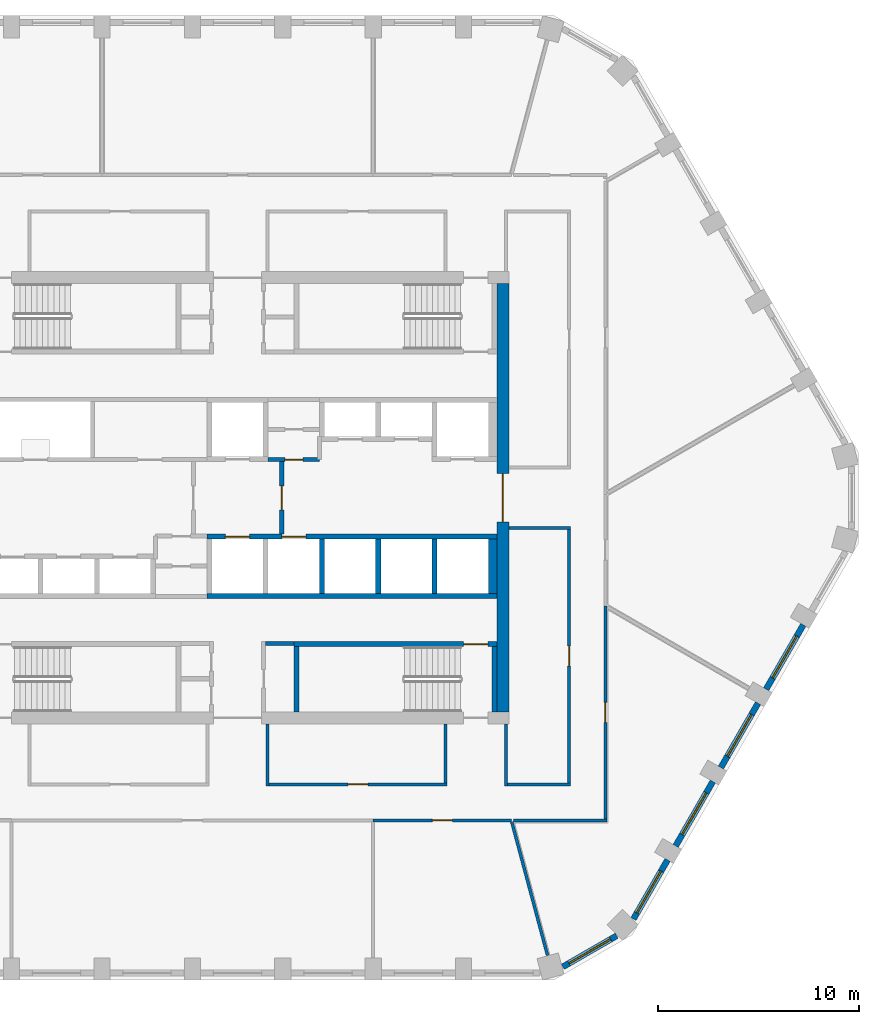
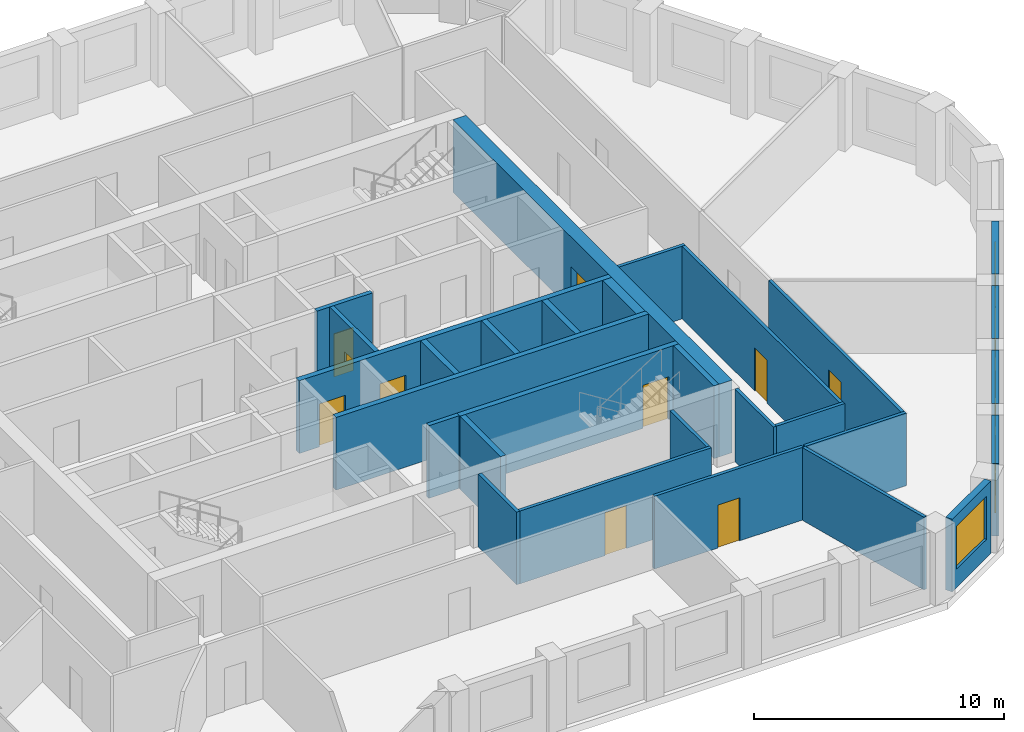
# One storey, part 4 of 13: 29 walls, 10 doors, 5 windows, 15 openings.
"""IFC4 building model written with IfcOpenShell, lengths in metres."""

from ifc_helpers import new_model, si_unit, direction, frame, frame_2d, origin, place, context, subcontext, project, spatial, polyline, rectangle, outline, extrude, material, layer, layer_set, type_object, element, fill, save


model = new_model("IFC4")

# Units and contexts
model_context = context("Model", 3, precision=1e-05, world=origin(), true_north=direction((0.0, 1.0)))
body_context = subcontext(model_context, "Body", "Model", "MODEL_VIEW")
ifc_project = project(units=[si_unit("LENGTHUNIT", "METRE"), si_unit("AREAUNIT", "SQUARE_METRE"), si_unit("VOLUMEUNIT", "CUBIC_METRE"), si_unit("PLANEANGLEUNIT", "RADIAN"), si_unit("MASSUNIT", "GRAM", prefix="KILO")], contexts=[model_context])

# Site, building, storey
site_placement = place(None, origin())
site = spatial("IfcSite", under=ifc_project, at=site_placement, CompositionType="ELEMENT")
building_placement = place(site_placement, origin())
building = spatial("IfcBuilding", under=site, at=building_placement, Name="Dhurran Vertical Campus", CompositionType="ELEMENT")
storey_placement = place(building_placement, frame((0.0, 0.0, 191.699951171875)))
storey = spatial("IfcBuildingStorey", under=building, at=storey_placement, Name="L47", CompositionType="ELEMENT", Elevation=191.699951171875)

# Wall, opening, window
ifc_material_1 = material(Name="Precast concrete C50/60", Category="concrete")
ifc_layer_1 = layer(ifc_material_1, 0.300048828125)
ifc_layer_set_1 = layer_set([ifc_layer_1], Name="Precast concrete C50/60")
wall_type_1 = type_object("IfcWallType", Name="Precast spandrel wall 300", PredefinedType="SOLIDWALL", material=ifc_layer_set_1)
wall_1_placement = place(storey_placement, frame((16.184326171875, -23.330810546875, 0.0), z_axis=(0.0, 0.0, 1.0), x_axis=(0.865994975416, 0.500052699777, 0.0)))
wall_1 = element("IfcWall", 1, at=wall_1_placement, inside=storey, type_object=wall_type_1, Name="EW1 L47.07", PredefinedType="SOLIDWALL", context=body_context, shape_type="SweptSolid", body=[
    extrude(rectangle(XDim=3.093017578125, YDim=0.300048828125, at=frame_2d((1.54638671875, 0.0))), origin(), (0.0, 0.0, 1.0), 3.550048828125),
])
opening_1_placement = place(wall_1_placement, frame((0.346435546875, 0.0, 0.89990234375)))
opening_1 = element("IfcOpeningElement", 2, at=opening_1_placement, cuts=wall_1, Name="Opening WT1", PredefinedType="OPENING", context=body_context, shape_type="SweptSolid", body=[
    extrude(rectangle(XDim=2.39990234375, YDim=2.10009765625, at=frame_2d((1.199951171875, 1.050048828125))), frame((0.0, 0.159912109375, 0.0), z_axis=(0.0, -1.0, 0.0), x_axis=(1.0, 0.0, 0.0)), (0.0, 0.0, 1.0), 0.320068359375),
])
ifc_material_2 = material(Name="Aluminium frame with solar-control glass", Category="aluminium")
window_type = type_object("IfcWindowType", Name="Punched window 2400 x 2100", PartitioningType="SINGLE_PANEL", PredefinedType="WINDOW", material=ifc_material_2)
window_1_placement = place(opening_1_placement, origin())
window_1 = element("IfcWindow", 3, at=window_1_placement, inside=storey, type_object=window_type, Name="WT1 L47.07", OverallHeight=2.10009765625, OverallWidth=2.39990234375, PartitioningType="SINGLE_PANEL", PredefinedType="WINDOW", context=body_context, shape_type="SweptSolid", body=[
    extrude(rectangle(XDim=2.39990234375, YDim=2.10009765625, at=frame_2d((1.199951171875, 1.050048828125))), frame((0.0, 0.030029296875, 0.0), z_axis=(0.0, -1.0, 0.0), x_axis=(1.0, 0.0, 0.0)), (0.0, 0.0, 1.0), 0.06005859375),
])
fill(opening_1, window_1)

wall_2_placement = place(storey_placement, frame((19.69580078125, -20.951171875, 0.0), z_axis=(0.0, 0.0, 1.0), x_axis=(0.500012868213, 0.866017974191, 0.0)))
wall_2 = element("IfcWall", 4, at=wall_2_placement, inside=storey, type_object=wall_type_1, Name="EW1 L47.08", PredefinedType="SOLIDWALL", context=body_context, shape_type="SweptSolid", body=[
    extrude(rectangle(XDim=3.39599609375, YDim=0.300048828125, at=frame_2d((1.697998046875, 0.0))), origin(), (0.0, 0.0, 1.0), 3.550048828125),
])
opening_2_placement = place(wall_2_placement, frame((0.346435546875, 0.0, 0.89990234375)))
opening_2 = element("IfcOpeningElement", 5, at=opening_2_placement, cuts=wall_2, Name="Opening WT1", PredefinedType="OPENING", context=body_context, shape_type="SweptSolid", body=[
    extrude(rectangle(XDim=2.39990234375, YDim=2.10009765625, at=frame_2d((1.199951171875, 1.050048828125))), frame((0.0, 0.159912109375, 0.0), z_axis=(0.0, -1.0, 0.0), x_axis=(1.0, 0.0, 0.0)), (0.0, 0.0, 1.0), 0.320068359375),
])
window_2_placement = place(opening_2_placement, origin())
window_2 = element("IfcWindow", 6, at=window_2_placement, inside=storey, type_object=window_type, Name="WT1 L47.08", OverallHeight=2.10009765625, OverallWidth=2.39990234375, PartitioningType="SINGLE_PANEL", PredefinedType="WINDOW", context=body_context, shape_type="SweptSolid", body=[
    extrude(rectangle(XDim=2.39990234375, YDim=2.10009765625, at=frame_2d((1.199951171875, 1.050048828125))), frame((0.0, 0.030029296875, 0.0), z_axis=(0.0, -1.0, 0.0), x_axis=(1.0, 0.0, 0.0)), (0.0, 0.0, 1.0), 0.06005859375),
])
fill(opening_2, window_2)

wall_3_placement = place(storey_placement, frame((21.794189453125, -17.316650390625, 0.0), z_axis=(0.0, 0.0, 1.0), x_axis=(0.500029062817, 0.866008623709, 0.0)))
wall_3 = element("IfcWall", 7, at=wall_3_placement, inside=storey, type_object=wall_type_1, Name="EW1 L47.09", PredefinedType="SOLIDWALL", context=body_context, shape_type="SweptSolid", body=[
    extrude(rectangle(XDim=3.698974609375, YDim=0.300048828125, at=frame_2d((1.849609375, 0.0))), origin(), (0.0, 0.0, 1.0), 3.550048828125),
])
opening_3_placement = place(wall_3_placement, frame((0.6494140625, 0.0, 0.89990234375)))
opening_3 = element("IfcOpeningElement", 8, at=opening_3_placement, cuts=wall_3, Name="Opening WT1", PredefinedType="OPENING", context=body_context, shape_type="SweptSolid", body=[
    extrude(rectangle(XDim=2.39990234375, YDim=2.10009765625, at=frame_2d((1.199951171875, 1.050048828125))), frame((0.0, 0.159912109375, 0.0), z_axis=(0.0, -1.0, 0.0), x_axis=(1.0, 0.0, 0.0)), (0.0, 0.0, 1.0), 0.320068359375),
])
window_3_placement = place(opening_3_placement, origin())
window_3 = element("IfcWindow", 9, at=window_3_placement, inside=storey, type_object=window_type, Name="WT1 L47.09", OverallHeight=2.10009765625, OverallWidth=2.39990234375, PartitioningType="SINGLE_PANEL", PredefinedType="WINDOW", context=body_context, shape_type="SweptSolid", body=[
    extrude(rectangle(XDim=2.39990234375, YDim=2.10009765625, at=frame_2d((1.199951171875, 1.050048828125))), frame((0.0, 0.030029296875, 0.0), z_axis=(0.0, -1.0, 0.0), x_axis=(1.0, 0.0, 0.0)), (0.0, 0.0, 1.0), 0.06005859375),
])
fill(opening_3, window_3)

wall_4_placement = place(storey_placement, frame((24.044189453125, -13.41943359375, 0.0), z_axis=(0.0, 0.0, 1.0), x_axis=(0.500029062817, 0.866008623709, 0.0)))
wall_4 = element("IfcWall", 10, at=wall_4_placement, inside=storey, type_object=wall_type_1, Name="EW1 L47.10", PredefinedType="SOLIDWALL", context=body_context, shape_type="SweptSolid", body=[
    extrude(rectangle(XDim=3.698974609375, YDim=0.300048828125, at=frame_2d((1.849609375, 0.0))), origin(), (0.0, 0.0, 1.0), 3.550048828125),
])
opening_4_placement = place(wall_4_placement, frame((0.6494140625, 0.0, 0.89990234375)))
opening_4 = element("IfcOpeningElement", 11, at=opening_4_placement, cuts=wall_4, Name="Opening WT1", PredefinedType="OPENING", context=body_context, shape_type="SweptSolid", body=[
    extrude(rectangle(XDim=2.39990234375, YDim=2.10009765625, at=frame_2d((1.199951171875, 1.050048828125))), frame((0.0, 0.159912109375, 0.0), z_axis=(0.0, -1.0, 0.0), x_axis=(1.0, 0.0, 0.0)), (0.0, 0.0, 1.0), 0.320068359375),
])
window_4_placement = place(opening_4_placement, origin())
window_4 = element("IfcWindow", 12, at=window_4_placement, inside=storey, type_object=window_type, Name="WT1 L47.10", OverallHeight=2.10009765625, OverallWidth=2.39990234375, PartitioningType="SINGLE_PANEL", PredefinedType="WINDOW", context=body_context, shape_type="SweptSolid", body=[
    extrude(rectangle(XDim=2.39990234375, YDim=2.10009765625, at=frame_2d((1.199951171875, 1.050048828125))), frame((0.0, 0.030029296875, 0.0), z_axis=(0.0, -1.0, 0.0), x_axis=(1.0, 0.0, 0.0)), (0.0, 0.0, 1.0), 0.06005859375),
])
fill(opening_4, window_4)

wall_5_placement = place(storey_placement, frame((26.294189453125, -9.5224609375, 0.0), z_axis=(0.0, 0.0, 1.0), x_axis=(0.500029062817, 0.866008623709, 0.0)))
wall_5 = element("IfcWall", 13, at=wall_5_placement, inside=storey, type_object=wall_type_1, Name="EW1 L47.11", PredefinedType="SOLIDWALL", context=body_context, shape_type="SweptSolid", body=[
    extrude(rectangle(XDim=3.698974609375, YDim=0.300048828125, at=frame_2d((1.849609375, 0.0))), origin(), (0.0, 0.0, 1.0), 3.550048828125),
])
opening_5_placement = place(wall_5_placement, frame((0.6494140625, 0.0, 0.89990234375)))
opening_5 = element("IfcOpeningElement", 14, at=opening_5_placement, cuts=wall_5, Name="Opening WT1", PredefinedType="OPENING", context=body_context, shape_type="SweptSolid", body=[
    extrude(rectangle(XDim=2.39990234375, YDim=2.10009765625, at=frame_2d((1.199951171875, 1.050048828125))), frame((0.0, 0.159912109375, 0.0), z_axis=(0.0, -1.0, 0.0), x_axis=(1.0, 0.0, 0.0)), (0.0, 0.0, 1.0), 0.320068359375),
])
window_5_placement = place(opening_5_placement, origin())
window_5 = element("IfcWindow", 15, at=window_5_placement, inside=storey, type_object=window_type, Name="WT1 L47.11", OverallHeight=2.10009765625, OverallWidth=2.39990234375, PartitioningType="SINGLE_PANEL", PredefinedType="WINDOW", context=body_context, shape_type="SweptSolid", body=[
    extrude(rectangle(XDim=2.39990234375, YDim=2.10009765625, at=frame_2d((1.199951171875, 1.050048828125))), frame((0.0, 0.030029296875, 0.0), z_axis=(0.0, -1.0, 0.0), x_axis=(1.0, 0.0, 0.0)), (0.0, 0.0, 1.0), 0.06005859375),
])
fill(opening_5, window_5)

# Wall, opening, door
ifc_material_3 = material(Name="Concrete C50/60", Category="concrete")
ifc_layer_2 = layer(ifc_material_3, 0.60009765625)
ifc_layer_set_2 = layer_set([ifc_layer_2], Name="Concrete C50/60")
wall_type_2 = type_object("IfcWallType", Name="co-CORE-WALL-C2-600", PredefinedType="SHEAR", material=ifc_layer_set_2)
wall_6_placement = place(storey_placement, frame((13.199951171875, -10.64990234375, 0.0), z_axis=(0.0, 0.0, 1.0), x_axis=(0.0, 1.0, 0.0)))
wall_6 = element("IfcWall", 16, at=wall_6_placement, inside=storey, type_object=wall_type_2, Name="Core wall E L47", PredefinedType="SHEAR", context=body_context, shape_type="SweptSolid", body=[
    extrude(rectangle(XDim=21.2998046875, YDim=0.60009765625, at=frame_2d((10.64990234375, 0.0))), origin(), (0.0, 0.0, 1.0), 3.550048828125),
])
opening_6_placement = place(wall_6_placement, frame((9.449951171875, 0.0, 0.0)))
opening_6 = element("IfcOpeningElement", 17, at=opening_6_placement, cuts=wall_6, Name="Opening CL2", PredefinedType="OPENING", context=body_context, shape_type="SweptSolid", body=[
    extrude(rectangle(XDim=2.39990234375, YDim=2.10009765625, at=frame_2d((1.199951171875, 1.050048828125))), frame((0.0, 0.31005859375, 0.0), z_axis=(0.0, -1.0, 0.0), x_axis=(1.0, 0.0, 0.0)), (0.0, 0.0, 1.0), 0.6201171875),
])
ifc_material_4 = material(Name="Fire-rated glazed door set")
door_type_1 = type_object("IfcDoorType", Name="co-D-LOBBY 2400x2100", OperationType="DOUBLE_DOOR_DOUBLE_SWING", PredefinedType="DOOR", material=ifc_material_4)
door_1_placement = place(opening_6_placement, origin())
door_1 = element("IfcDoor", 18, at=door_1_placement, inside=storey, type_object=door_type_1, Name="Lift lobby door E L47", OperationType="DOUBLE_DOOR_DOUBLE_SWING", OverallHeight=2.10009765625, OverallWidth=2.39990234375, PredefinedType="DOOR", context=body_context, shape_type="SweptSolid", body=[
    extrude(rectangle(XDim=2.39990234375, YDim=2.10009765625, at=frame_2d((1.199951171875, 1.050048828125))), frame((0.0, 0.02490234375, 0.0), z_axis=(0.0, -1.0, 0.0), x_axis=(1.0, 0.0, 0.0)), (0.0, 0.0, 1.0), 0.050048828125),
])
fill(opening_6, door_1)

ifc_material_5 = material(Name="Fire-rated masonry blockwork", Category="masonry")
ifc_layer_3 = layer(ifc_material_5, 0.199951171875)
ifc_layer_set_3 = layer_set([ifc_layer_3], Name="Fire-rated masonry blockwork")
wall_type_3 = type_object("IfcWallType", Name="co-FIRE-PARTITION-200", PredefinedType="PARTITIONING", material=ifc_layer_set_3)
wall_7_placement = place(storey_placement, frame((2.199951171875, -1.800048828125, 0.0), z_axis=(0.0, 0.0, 1.0), x_axis=(0.0, 1.0, 0.0)))
wall_7 = element("IfcWall", 19, at=wall_7_placement, inside=storey, type_object=wall_type_3, Name="Firefighting lobby wall E L47", PredefinedType="PARTITIONING", context=body_context, shape_type="SweptSolid", body=[
    extrude(rectangle(XDim=3.60009765625, YDim=0.199951171875, at=frame_2d((1.800048828125, 0.0))), origin(), (0.0, 0.0, 1.0), 3.550048828125),
])
opening_7_placement = place(wall_7_placement, frame((1.199951171875, 0.0, 0.0)))
opening_7 = element("IfcOpeningElement", 20, at=opening_7_placement, cuts=wall_7, Name="Opening FL2", PredefinedType="OPENING", context=body_context, shape_type="SweptSolid", body=[
    extrude(rectangle(XDim=1.199951171875, YDim=2.10009765625, at=frame_2d((0.60009765625, 1.050048828125))), frame((0.0, 0.10986328125, 0.0), z_axis=(0.0, -1.0, 0.0), x_axis=(1.0, 0.0, 0.0)), (0.0, 0.0, 1.0), 0.219970703125),
])
ifc_material_6 = material(Name="Fire-rated steel door set", Category="steel")
door_type_2 = type_object("IfcDoorType", Name="co-D-FFLOBBY 1200x2100", OperationType="SINGLE_SWING_LEFT", PredefinedType="DOOR", material=ifc_material_6)
door_2_placement = place(opening_7_placement, origin())
door_2 = element("IfcDoor", 21, at=door_2_placement, inside=storey, type_object=door_type_2, Name="Firefighting lobby door E L47", OperationType="SINGLE_SWING_LEFT", OverallHeight=2.10009765625, OverallWidth=1.199951171875, PredefinedType="DOOR", context=body_context, shape_type="SweptSolid", body=[
    extrude(rectangle(XDim=1.199951171875, YDim=2.10009765625, at=frame_2d((0.60009765625, 1.050048828125))), frame((0.0, 0.02490234375, 0.0), z_axis=(0.0, -1.0, 0.0), x_axis=(1.0, 0.0, 0.0)), (0.0, 0.0, 1.0), 0.050048828125),
])
fill(opening_7, door_2)

# Wall
wall_8_placement = place(storey_placement, frame((1.39990234375, -7.25, 0.0), z_axis=(0.0, 0.0, 1.0), x_axis=(1.0, 0.0, 0.0)))
element("IfcWall", 22, at=wall_8_placement, inside=storey, type_object=wall_type_3, Name="Core partition sl-SE-S L47", PredefinedType="PARTITIONING", context=body_context, shape_type="SweptSolid", body=[
    extrude(rectangle(XDim=1.400146484375, YDim=0.199951171875, at=frame_2d((0.7001953125, 0.0))), origin(), (0.0, 0.0, 1.0), 3.550048828125),
])

# Wall, opening, door
wall_9_placement = place(storey_placement, frame((1.52490234375, 1.89990234375, 0.0), z_axis=(0.0, 0.0, 1.0), x_axis=(1.0, 0.0, 0.0)))
wall_9 = element("IfcWall", 23, at=wall_9_placement, inside=storey, type_object=wall_type_3, Name="Core partition fr-N1-f L47", PredefinedType="PARTITIONING", context=body_context, shape_type="SweptSolid", body=[
    extrude(rectangle(XDim=2.550048828125, YDim=0.199951171875, at=frame_2d((1.27490234375, 0.0))), origin(), (0.0, 0.0, 1.0), 3.550048828125),
])
opening_8_placement = place(wall_9_placement, frame((0.824951171875, 0.0, 0.0)))
opening_8 = element("IfcOpeningElement", 24, at=opening_8_placement, cuts=wall_9, Name="Opening T13-C11", PredefinedType="OPENING", context=body_context, shape_type="SweptSolid", body=[
    extrude(rectangle(XDim=0.89990234375, YDim=2.10009765625, at=frame_2d((0.449951171875, 1.050048828125))), frame((0.0, 0.10986328125, 0.0), z_axis=(0.0, -1.0, 0.0), x_axis=(1.0, 0.0, 0.0)), (0.0, 0.0, 1.0), 0.219970703125),
])
ifc_material_7 = material(Name="Fire-rated timber door set", Category="wood")
door_type_3 = type_object("IfcDoorType", Name="co-D-ROOM 900x2100", OperationType="SINGLE_SWING_LEFT", PredefinedType="DOOR", material=ifc_material_7)
door_3_placement = place(opening_8_placement, origin())
door_3 = element("IfcDoor", 25, at=door_3_placement, inside=storey, type_object=door_type_3, Name="Pantry door L47", OperationType="SINGLE_SWING_LEFT", OverallHeight=2.10009765625, OverallWidth=0.89990234375, PredefinedType="DOOR", context=body_context, shape_type="SweptSolid", body=[
    extrude(rectangle(XDim=0.89990234375, YDim=2.10009765625, at=frame_2d((0.449951171875, 1.050048828125))), frame((0.0, 0.02490234375, 0.0), z_axis=(0.0, -1.0, 0.0), x_axis=(1.0, 0.0, 0.0)), (0.0, 0.0, 1.0), 0.050048828125),
])
fill(opening_8, door_3)

# Wall, openings, doors
ifc_material_8 = material(Name="Concrete C50/60", Category="concrete")
ifc_layer_4 = layer(ifc_material_8, 0.25)
ifc_layer_set_4 = layer_set([ifc_layer_4], Name="Concrete C50/60")
wall_type_4 = type_object("IfcWallType", Name="co-SHAFT-FRONT-250", PredefinedType="SHEAR", material=ifc_layer_set_4)
wall_10_placement = place(storey_placement, frame((-1.52490234375, -1.925048828125, 0.0), z_axis=(0.0, 0.0, 1.0), x_axis=(1.0, 0.0, 0.0)))
wall_10 = element("IfcWall", 26, at=wall_10_placement, inside=storey, type_object=wall_type_4, Name="Lift landing wall S L47", PredefinedType="SHEAR", context=body_context, shape_type="SweptSolid", body=[
    extrude(rectangle(XDim=14.4248046875, YDim=0.25, at=frame_2d((7.21240234375, 0.0))), origin(), (0.0, 0.0, 1.0), 3.550048828125),
])
opening_9_placement = place(wall_10_placement, frame((0.925048828125, 0.0, 0.0)))
opening_9 = element("IfcOpeningElement", 27, at=opening_9_placement, cuts=wall_10, Name="Opening LD", PredefinedType="OPENING", context=body_context, shape_type="SweptSolid", body=[
    extrude(rectangle(XDim=1.199951171875, YDim=2.10009765625, at=frame_2d((0.60009765625, 1.050048828125))), frame((0.0, 0.135009765625, 0.0), z_axis=(0.0, -1.0, 0.0), x_axis=(1.0, 0.0, 0.0)), (0.0, 0.0, 1.0), 0.27001953125),
])
opening_10_placement = place(wall_10_placement, frame((3.72509765625, 0.0, 0.0)))
opening_10 = element("IfcOpeningElement", 28, at=opening_10_placement, cuts=wall_10, Name="Opening LD", PredefinedType="OPENING", context=body_context, shape_type="SweptSolid", body=[
    extrude(rectangle(XDim=1.199951171875, YDim=2.10009765625, at=frame_2d((0.60009765625, 1.050048828125))), frame((0.0, 0.135009765625, 0.0), z_axis=(0.0, -1.0, 0.0), x_axis=(1.0, 0.0, 0.0)), (0.0, 0.0, 1.0), 0.27001953125),
])
ifc_material_9 = material(Name="Stainless steel landing door", Category="steel")
door_type_4 = type_object("IfcDoorType", Name="co-D-LANDING 1200x2100", OperationType="DOUBLE_DOOR_SLIDING", PredefinedType="DOOR", material=ifc_material_9)
door_4_placement = place(opening_9_placement, origin())
door_4 = element("IfcDoor", 29, at=door_4_placement, inside=storey, type_object=door_type_4, Name="Landing door FF2 L47", OperationType="DOUBLE_DOOR_SLIDING", OverallHeight=2.10009765625, OverallWidth=1.199951171875, PredefinedType="DOOR", context=body_context, shape_type="SweptSolid", body=[
    extrude(rectangle(XDim=1.199951171875, YDim=2.10009765625, at=frame_2d((0.60009765625, 1.050048828125))), frame((0.0, 0.02490234375, 0.0), z_axis=(0.0, -1.0, 0.0), x_axis=(1.0, 0.0, 0.0)), (0.0, 0.0, 1.0), 0.050048828125),
])
fill(opening_9, door_4)
door_5_placement = place(opening_10_placement, origin())
door_5 = element("IfcDoor", 30, at=door_5_placement, inside=storey, type_object=door_type_4, Name="Landing door SV1 L47", OperationType="DOUBLE_DOOR_SLIDING", OverallHeight=2.10009765625, OverallWidth=1.199951171875, PredefinedType="DOOR", context=body_context, shape_type="SweptSolid", body=[
    extrude(rectangle(XDim=1.199951171875, YDim=2.10009765625, at=frame_2d((0.60009765625, 1.050048828125))), frame((0.0, 0.02490234375, 0.0), z_axis=(0.0, -1.0, 0.0), x_axis=(1.0, 0.0, 0.0)), (0.0, 0.0, 1.0), 0.050048828125),
])
fill(opening_10, door_5)

# Walls
ifc_material_10 = material(Name="Concrete C50/60", Category="concrete")
ifc_layer_5 = layer(ifc_material_10, 0.25)
ifc_layer_set_5 = layer_set([ifc_layer_5], Name="Concrete C50/60")
wall_type_5 = type_object("IfcWallType", Name="co-SHAFT-MASS-250", PredefinedType="SHEAR", material=ifc_layer_set_5)
wall_11_placement = place(storey_placement, origin())
element("IfcWall", 31, at=wall_11_placement, inside=storey, type_object=wall_type_5, Name="Lift shaft wall S L47 2", PredefinedType="SHEAR", context=body_context, shape_type="SweptSolid", body=[
    extrude(outline(polyline([(-1.52490234375, -5.0), (12.89990234375, -5.0), (12.89990234375, -4.75), (-1.52490234375, -4.75), (-1.52490234375, -5.0)])), origin(), (0.0, 0.0, 1.0), 3.550048828125),
])
wall_12_placement = place(storey_placement, origin())
element("IfcWall", 32, at=wall_12_placement, inside=storey, type_object=wall_type_5, Name="Lift shaft wall S L47 9", PredefinedType="SHEAR", context=body_context, shape_type="SweptSolid", body=[
    extrude(outline(polyline([(4.074951171875, -4.75), (4.324951171875, -4.75), (4.324951171875, -2.050048828125), (4.074951171875, -2.050048828125), (4.074951171875, -4.75)])), origin(), (0.0, 0.0, 1.0), 3.550048828125),
])
wall_13_placement = place(storey_placement, origin())
element("IfcWall", 33, at=wall_13_placement, inside=storey, type_object=wall_type_5, Name="Lift shaft wall S L47 10", PredefinedType="SHEAR", context=body_context, shape_type="SweptSolid", body=[
    extrude(outline(polyline([(6.875, -4.75), (7.125, -4.75), (7.125, -2.050048828125), (6.875, -2.050048828125), (6.875, -4.75)])), origin(), (0.0, 0.0, 1.0), 3.550048828125),
])
wall_14_placement = place(storey_placement, origin())
element("IfcWall", 34, at=wall_14_placement, inside=storey, type_object=wall_type_5, Name="Lift shaft wall S L47 11", PredefinedType="SHEAR", context=body_context, shape_type="SweptSolid", body=[
    extrude(outline(polyline([(9.675048828125, -4.75), (9.925048828125, -4.75), (9.925048828125, -2.050048828125), (9.675048828125, -2.050048828125), (9.675048828125, -4.75)])), origin(), (0.0, 0.0, 1.0), 3.550048828125),
])
wall_15_placement = place(storey_placement, origin())
element("IfcWall", 35, at=wall_15_placement, inside=storey, type_object=wall_type_5, Name="Lift shaft wall S L47 12", PredefinedType="SHEAR", context=body_context, shape_type="SweptSolid", body=[
    extrude(outline(polyline([(12.47509765625, -4.75), (12.89990234375, -4.75), (12.89990234375, -2.050048828125), (12.47509765625, -2.050048828125), (12.47509765625, -4.75)])), origin(), (0.0, 0.0, 1.0), 3.550048828125),
])

# Wall, opening, door
ifc_material_11 = material(Name="Concrete C40/50", Category="concrete")
ifc_layer_6 = layer(ifc_material_11, 0.25)
ifc_layer_set_6 = layer_set([ifc_layer_6], Name="Concrete C40/50")
wall_type_6 = type_object("IfcWallType", Name="co-STAIR-WALL-250", PredefinedType="SHEAR", material=ifc_layer_set_6)
wall_16_placement = place(storey_placement, frame((2.800048828125, -7.27490234375, 0.0), z_axis=(0.0, 0.0, 1.0), x_axis=(1.0, 0.0, 0.0)))
wall_16 = element("IfcWall", 36, at=wall_16_placement, inside=storey, type_object=wall_type_6, Name="Stair ST4 enclosure wall L47", PredefinedType="SHEAR", context=body_context, shape_type="SweptSolid", body=[
    extrude(rectangle(XDim=10.099853515625, YDim=0.25, at=frame_2d((5.0498046875, 0.0))), origin(), (0.0, 0.0, 1.0), 3.550048828125),
])
opening_11_placement = place(wall_16_placement, frame((8.449951171875, 0.0, 0.0)))
opening_11 = element("IfcOpeningElement", 37, at=opening_11_placement, cuts=wall_16, Name="Opening SD4", PredefinedType="OPENING", context=body_context, shape_type="SweptSolid", body=[
    extrude(rectangle(XDim=1.199951171875, YDim=2.10009765625, at=frame_2d((0.60009765625, 1.050048828125))), frame((0.0, 0.135009765625, 0.0), z_axis=(0.0, -1.0, 0.0), x_axis=(1.0, 0.0, 0.0)), (0.0, 0.0, 1.0), 0.27001953125),
])
ifc_material_12 = material(Name="Fire-rated steel door set", Category="steel")
door_type_5 = type_object("IfcDoorType", Name="co-D-STAIR 1200x2100", OperationType="SINGLE_SWING_LEFT", PredefinedType="DOOR", material=ifc_material_12)
door_6_placement = place(opening_11_placement, origin())
door_6 = element("IfcDoor", 38, at=door_6_placement, inside=storey, type_object=door_type_5, Name="Stair ST4 door L47", OperationType="SINGLE_SWING_LEFT", OverallHeight=2.10009765625, OverallWidth=1.199951171875, PredefinedType="DOOR", context=body_context, shape_type="SweptSolid", body=[
    extrude(rectangle(XDim=1.199951171875, YDim=2.10009765625, at=frame_2d((0.60009765625, 1.050048828125))), frame((0.0, 0.02490234375, 0.0), z_axis=(0.0, -1.0, 0.0), x_axis=(1.0, 0.0, 0.0)), (0.0, 0.0, 1.0), 0.050048828125),
])
fill(opening_11, door_6)

# Walls
for number, where, z_axis, x_axis, name in (
    (39, (2.925048828125, -10.64990234375, 0.0), (0.0, 0.0, 1.0), (0.0, 1.0, 0.0), "Stair ST4 enclosure wall L47"),
    (40, (12.77490234375, -10.64990234375, 0.0), (0.0, 0.0, 1.0), (0.0, 1.0, 0.0), "Stair ST4 enclosure wall L47"),
):
    element("IfcWall", number, at=place(storey_placement, frame(where, z_axis=z_axis, x_axis=x_axis)), inside=storey, type_object=wall_type_6, Name=name, PredefinedType="SHEAR", context=body_context, shape_type="SweptSolid", body=[
        extrude(rectangle(XDim=3.25, YDim=0.25, at=frame_2d((1.625, 0.0))), origin(), (0.0, 0.0, 1.0), 3.550048828125),
    ])
ifc_material_13 = material(Name="Gypsum board corridor wall on steel studs", Category="steel")
ifc_layer_7 = layer(ifc_material_13, 0.14990234375)
ifc_layer_set_7 = layer_set([ifc_layer_7], Name="Gypsum board corridor wall on steel studs")
wall_type_7 = type_object("IfcWallType", Name="fl-CW-150 corridor wall", PredefinedType="PARTITIONING", material=ifc_layer_set_7)
wall_17_placement = place(storey_placement, frame((1.5, -14.324951171875, 0.0), z_axis=(0.0, 0.0, 1.0), x_axis=(0.0, 1.0, 0.0)))
element("IfcWall", 41, at=wall_17_placement, inside=storey, type_object=wall_type_7, Name="Partition 47-34", PredefinedType="PARTITIONING", context=body_context, shape_type="SweptSolid", body=[
    extrude(rectangle(XDim=3.074951171875, YDim=0.14990234375, at=frame_2d((1.53759765625, 0.0))), origin(), (0.0, 0.0, 1.0), 3.550048828125),
])

# Wall, opening, door
wall_18_placement = place(storey_placement, frame((10.425048828125, -14.25, 0.0), z_axis=(0.0, 0.0, 1.0), x_axis=(-1.0, 0.0, 0.0)))
wall_18 = element("IfcWall", 42, at=wall_18_placement, inside=storey, type_object=wall_type_7, Name="Partition 47-35", PredefinedType="PARTITIONING", context=body_context, shape_type="SweptSolid", body=[
    extrude(rectangle(XDim=8.85009765625, YDim=0.14990234375, at=frame_2d((4.425048828125, 0.0))), origin(), (0.0, 0.0, 1.0), 3.550048828125),
])
opening_12_placement = place(wall_18_placement, frame((3.925048828125, 0.0, 0.0)))
opening_12 = element("IfcOpeningElement", 43, at=opening_12_placement, cuts=wall_18, Name="Opening T13.14", PredefinedType="OPENING", context=body_context, shape_type="SweptSolid", body=[
    extrude(rectangle(XDim=1.0, YDim=2.10009765625, at=frame_2d((0.5, 1.050048828125))), frame((0.0, 0.0849609375, 0.0), z_axis=(0.0, -1.0, 0.0), x_axis=(1.0, 0.0, 0.0)), (0.0, 0.0, 1.0), 0.169921875),
])
ifc_material_14 = material(Name="Solid-core timber door set, fire-rated", Category="wood")
door_type_6 = type_object("IfcDoorType", Name="fl-D-1000x2100", OperationType="SINGLE_SWING_LEFT", PredefinedType="DOOR", material=ifc_material_14)
door_7_placement = place(opening_12_placement, origin())
door_7 = element("IfcDoor", 44, at=door_7_placement, inside=storey, type_object=door_type_6, Name="Door 47.14", OperationType="SINGLE_SWING_RIGHT", OverallHeight=2.10009765625, OverallWidth=1.0, PredefinedType="DOOR", context=body_context, shape_type="SweptSolid", body=[
    extrude(rectangle(XDim=1.0, YDim=2.10009765625, at=frame_2d((0.5, 1.050048828125))), frame((0.0, 0.02490234375, 0.0), z_axis=(0.0, -1.0, 0.0), x_axis=(1.0, 0.0, 0.0)), (0.0, 0.0, 1.0), 0.050048828125),
])
fill(opening_12, door_7)

wall_19_placement = place(storey_placement, frame((6.75, -16.050048828125, 0.0), z_axis=(0.0, 0.0, 1.0), x_axis=(1.0, 0.0, 0.0)))
wall_19 = element("IfcWall", 45, at=wall_19_placement, inside=storey, type_object=wall_type_7, Name="Partition 47-39", PredefinedType="PARTITIONING", context=body_context, shape_type="SweptSolid", body=[
    extrude(rectangle(XDim=6.8740234375, YDim=0.14990234375, at=frame_2d((3.43701171875, 0.0))), origin(), (0.0, 0.0, 1.0), 3.550048828125),
])
opening_13_placement = place(wall_19_placement, frame((2.93701171875, 0.0, 0.0)))
opening_13 = element("IfcOpeningElement", 46, at=opening_13_placement, cuts=wall_19, Name="Opening T13.16", PredefinedType="OPENING", context=body_context, shape_type="SweptSolid", body=[
    extrude(rectangle(XDim=1.0, YDim=2.10009765625, at=frame_2d((0.5, 1.050048828125))), frame((0.0, 0.0849609375, 0.0), z_axis=(0.0, -1.0, 0.0), x_axis=(1.0, 0.0, 0.0)), (0.0, 0.0, 1.0), 0.169921875),
])
door_8_placement = place(opening_13_placement, origin())
door_8 = element("IfcDoor", 47, at=door_8_placement, inside=storey, type_object=door_type_6, Name="Door 47.16", OperationType="SINGLE_SWING_LEFT", OverallHeight=2.10009765625, OverallWidth=1.0, PredefinedType="DOOR", context=body_context, shape_type="SweptSolid", body=[
    extrude(rectangle(XDim=1.0, YDim=2.10009765625, at=frame_2d((0.5, 1.050048828125))), frame((0.0, 0.02490234375, 0.0), z_axis=(0.0, -1.0, 0.0), x_axis=(1.0, 0.0, 0.0)), (0.0, 0.0, 1.0), 0.050048828125),
])
fill(opening_13, door_8)

# Walls
wall_20_placement = place(storey_placement, frame((10.35009765625, -11.25, 0.0), z_axis=(0.0, 0.0, 1.0), x_axis=(0.0, -1.0, 0.0)))
element("IfcWall", 48, at=wall_20_placement, inside=storey, type_object=wall_type_7, Name="Partition 47-42", PredefinedType="PARTITIONING", context=body_context, shape_type="SweptSolid", body=[
    extrude(rectangle(XDim=2.925048828125, YDim=0.14990234375, at=frame_2d((1.46240234375, 0.0))), origin(), (0.0, 0.0, 1.0), 3.550048828125),
])
wall_21_placement = place(storey_placement, frame((13.35009765625, -14.324951171875, 0.0), z_axis=(0.0, 0.0, 1.0), x_axis=(0.0, 1.0, 0.0)))
element("IfcWall", 49, at=wall_21_placement, inside=storey, type_object=wall_type_7, Name="Partition 47-44", PredefinedType="PARTITIONING", context=body_context, shape_type="SweptSolid", body=[
    extrude(rectangle(XDim=3.074951171875, YDim=0.14990234375, at=frame_2d((1.53759765625, 0.0))), origin(), (0.0, 0.0, 1.0), 3.550048828125),
])
wall_22_placement = place(storey_placement, frame((16.574951171875, -14.25, 0.0), z_axis=(0.0, 0.0, 1.0), x_axis=(-1.0, 0.0, 0.0)))
element("IfcWall", 50, at=wall_22_placement, inside=storey, type_object=wall_type_7, Name="Partition 47-45", PredefinedType="PARTITIONING", context=body_context, shape_type="SweptSolid", body=[
    extrude(rectangle(XDim=3.14990234375, YDim=0.14990234375, at=frame_2d((1.574951171875, 0.0))), origin(), (0.0, 0.0, 1.0), 3.550048828125),
])
wall_23_placement = place(storey_placement, frame((13.5, -1.5, 0.0), z_axis=(0.0, 0.0, 1.0), x_axis=(1.0, 0.0, 0.0)))
element("IfcWall", 51, at=wall_23_placement, inside=storey, type_object=wall_type_7, Name="Partition 47-48", PredefinedType="PARTITIONING", context=body_context, shape_type="SweptSolid", body=[
    extrude(rectangle(XDim=3.074951171875, YDim=0.14990234375, at=frame_2d((1.53759765625, 0.0))), origin(), (0.0, 0.0, 1.0), 3.550048828125),
])
wall_24_placement = place(storey_placement, frame((13.718994140625, -16.050048828125, 0.0), z_axis=(0.0, 0.0, 1.0), x_axis=(1.0, 0.0, 0.0)))
element("IfcWall", 52, at=wall_24_placement, inside=storey, type_object=wall_type_7, Name="Partition 47-51", PredefinedType="PARTITIONING", context=body_context, shape_type="SweptSolid", body=[
    extrude(rectangle(XDim=4.656005859375, YDim=0.14990234375, at=frame_2d((2.328125, 0.0))), origin(), (0.0, 0.0, 1.0), 3.550048828125),
])

# Wall, opening, door
wall_25_placement = place(storey_placement, frame((16.5, -1.574951171875, 0.0), z_axis=(0.0, 0.0, 1.0), x_axis=(0.0, -1.0, 0.0)))
wall_25 = element("IfcWall", 53, at=wall_25_placement, inside=storey, type_object=wall_type_7, Name="Partition 47-54", PredefinedType="PARTITIONING", context=body_context, shape_type="SweptSolid", body=[
    extrude(rectangle(XDim=12.60009765625, YDim=0.14990234375, at=frame_2d((6.300048828125, 0.0))), origin(), (0.0, 0.0, 1.0), 3.550048828125),
])
opening_14_placement = place(wall_25_placement, frame((5.800048828125, 0.0, 0.0)))
opening_14 = element("IfcOpeningElement", 54, at=opening_14_placement, cuts=wall_25, Name="Opening T13.18", PredefinedType="OPENING", context=body_context, shape_type="SweptSolid", body=[
    extrude(rectangle(XDim=1.0, YDim=2.10009765625, at=frame_2d((0.5, 1.050048828125))), frame((0.0, 0.0849609375, 0.0), z_axis=(0.0, -1.0, 0.0), x_axis=(1.0, 0.0, 0.0)), (0.0, 0.0, 1.0), 0.169921875),
])
door_9_placement = place(opening_14_placement, origin())
door_9 = element("IfcDoor", 55, at=door_9_placement, inside=storey, type_object=door_type_6, Name="Door 47.18", OperationType="SINGLE_SWING_LEFT", OverallHeight=2.10009765625, OverallWidth=1.0, PredefinedType="DOOR", context=body_context, shape_type="SweptSolid", body=[
    extrude(rectangle(XDim=1.0, YDim=2.10009765625, at=frame_2d((0.5, 1.050048828125))), frame((0.0, 0.02490234375, 0.0), z_axis=(0.0, -1.0, 0.0), x_axis=(1.0, 0.0, 0.0)), (0.0, 0.0, 1.0), 0.050048828125),
])
fill(opening_14, door_9)

wall_26_placement = place(storey_placement, frame((18.300048828125, -15.97509765625, 0.0), z_axis=(0.0, 0.0, 1.0), x_axis=(0.0, 1.0, 0.0)))
wall_26 = element("IfcWall", 56, at=wall_26_placement, inside=storey, type_object=wall_type_7, Name="Partition 47-56", PredefinedType="PARTITIONING", context=body_context, shape_type="SweptSolid", body=[
    extrude(rectangle(XDim=10.606201171875, YDim=0.14990234375, at=frame_2d((5.30322265625, 0.0))), origin(), (0.0, 0.0, 1.0), 3.550048828125),
])
opening_15_placement = place(wall_26_placement, frame((4.802978515625, 0.0, 0.0)))
opening_15 = element("IfcOpeningElement", 57, at=opening_15_placement, cuts=wall_26, Name="Opening T13.21", PredefinedType="OPENING", context=body_context, shape_type="SweptSolid", body=[
    extrude(rectangle(XDim=1.0, YDim=2.10009765625, at=frame_2d((0.5, 1.050048828125))), frame((0.0, 0.0849609375, 0.0), z_axis=(0.0, -1.0, 0.0), x_axis=(1.0, 0.0, 0.0)), (0.0, 0.0, 1.0), 0.169921875),
])
door_10_placement = place(opening_15_placement, origin())
door_10 = element("IfcDoor", 58, at=door_10_placement, inside=storey, type_object=door_type_6, Name="Door 47.21", OperationType="SINGLE_SWING_LEFT", OverallHeight=2.10009765625, OverallWidth=1.0, PredefinedType="DOOR", context=body_context, shape_type="SweptSolid", body=[
    extrude(rectangle(XDim=1.0, YDim=2.10009765625, at=frame_2d((0.5, 1.050048828125))), frame((0.0, 0.02490234375, 0.0), z_axis=(0.0, -1.0, 0.0), x_axis=(1.0, 0.0, 0.0)), (0.0, 0.0, 1.0), 0.050048828125),
])
fill(opening_15, door_10)

# Wall
ifc_material_15 = material(Name="Gypsum board partition on steel studs", Category="steel")
ifc_layer_8 = layer(ifc_material_15, 0.14990234375)
ifc_layer_set_8 = layer_set([ifc_layer_8], Name="Gypsum board partition on steel studs")
wall_type_8 = type_object("IfcWallType", Name="fl-PW-150 fixed partition", PredefinedType="PARTITIONING", material=ifc_layer_set_8)
wall_27_placement = place(storey_placement, frame((13.643310546875, -16.122314453125, 0.0), z_axis=(0.0, 0.0, 1.0), x_axis=(0.258807697684, -0.965928866749, 0.0)))
element("IfcWall", 59, at=wall_27_placement, inside=storey, type_object=wall_type_8, Name="Partition 47-50", PredefinedType="PARTITIONING", context=body_context, shape_type="SweptSolid", body=[
    extrude(rectangle(XDim=6.873046875, YDim=0.14990234375, at=frame_2d((3.4365234375, 0.0))), origin(), (0.0, 0.0, 1.0), 3.550048828125),
])

save(model, "model.ifc")
